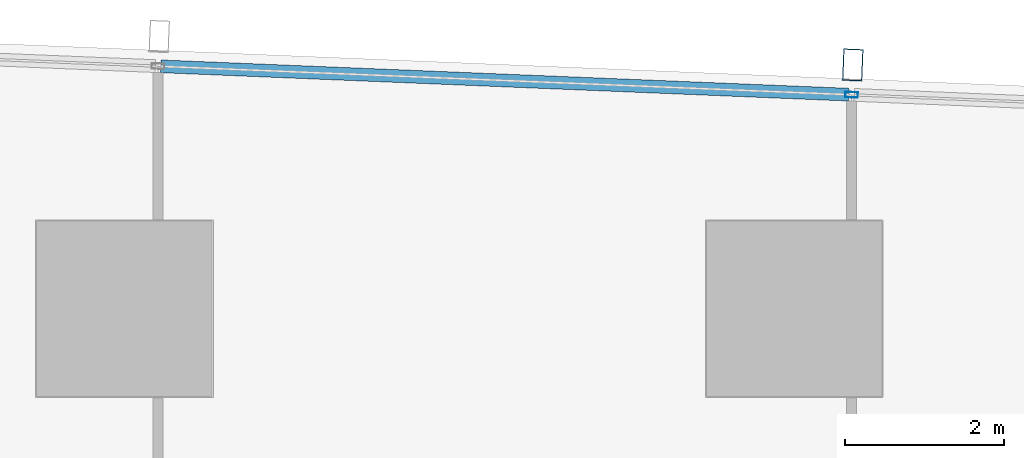
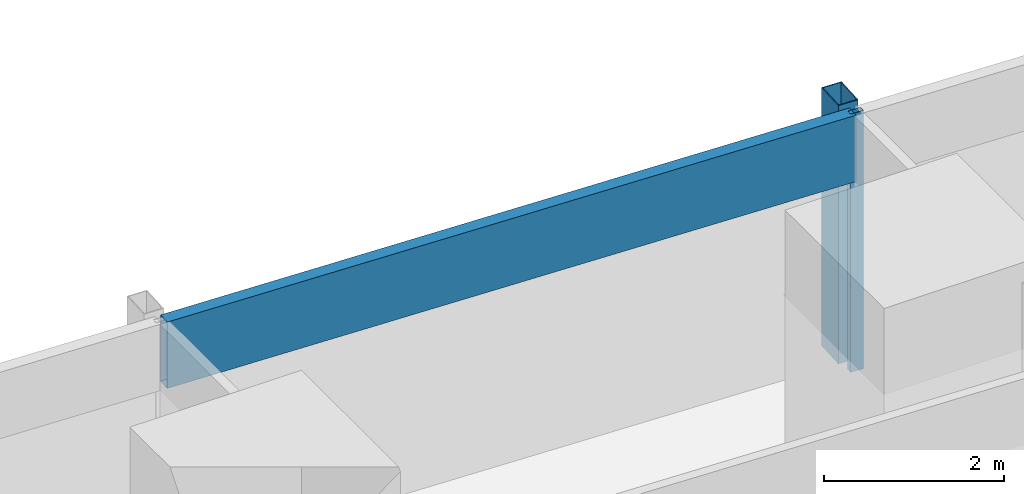
# One storey, part 21 of 42: 3 members, 1 element without a shape of its own.
"""IFC4 building model written with IfcOpenShell, lengths in metres."""

from ifc_helpers import new_model, si_unit, direction, frame, origin, origin_2d, place, context, subcontext, project, spatial, hollow_rectangle, extrude, material, material_profile, profile_set, type_object, element, aggregate, save


model = new_model("IFC4")

# Units and contexts
model_context = context("Model", 3, precision=1e-05, world=origin(), true_north=direction((0.0, 1.0)))
body_context = subcontext(model_context, "Body", "Model", "MODEL_VIEW")
ifc_project = project(units=[si_unit("LENGTHUNIT", "METRE"), si_unit("AREAUNIT", "SQUARE_METRE"), si_unit("VOLUMEUNIT", "CUBIC_METRE"), si_unit("PLANEANGLEUNIT", "RADIAN"), si_unit("MASSUNIT", "GRAM", prefix="KILO")], contexts=[model_context])

# Site, building, storey
site_placement = place(None, origin())
site = spatial("IfcSite", under=ifc_project, at=site_placement, CompositionType="ELEMENT")
building_placement = place(site_placement, origin())
building = spatial("IfcBuilding", under=site, at=building_placement, Name="Rekha Terrace Tower", CompositionType="ELEMENT")
storey_placement = place(building_placement, frame((0.0, 0.0, 70.39990234375)))
storey = spatial("IfcBuildingStorey", under=building, at=storey_placement, Name="L17", CompositionType="ELEMENT", Elevation=70.39990234375)

# Curtain wall, members
ifc_material_1 = material(Name="Aluminium framing", Category="aluminium")
curtain_wall_type = type_object("IfcCurtainWallType", Name="CW3 north unitised glazing", PredefinedType="USERDEFINED", material=ifc_material_1)
curtain_wall_placement = place(storey_placement, origin())
curtain_wall = element("IfcCurtainWall", 1, at=curtain_wall_placement, inside=storey, type_object=curtain_wall_type, Name="CW3 unitised curtain wall", ObjectType="UNITISED CURTAIN WALL", PredefinedType="USERDEFINED")
ifc_material_2 = material(Name="Steel S355 with fluorocarbon finish", Category="steel")
ifc_material_profile_1 = material_profile(ifc_material_2, hollow_rectangle(XDim=0.25, YDim=0.39990234375, WallThickness=0.012451171875, at=origin_2d()), Name="RHS400x250x12.5")
ifc_profile_set_1 = profile_set([ifc_material_profile_1], Name="Steel S355 with fluorocarbon finish")
member_type_1 = type_object("IfcMemberType", Name="BL1 facade blade RHS 400 x 250", PredefinedType="USERDEFINED", material=ifc_profile_set_1)
member_1_placement = place(storey_placement, frame((42.73388671875, 61.857421875, 0.0), z_axis=(0.0, 0.0, 1.0), x_axis=(-0.99915196507, 0.041174636562, 0.0)))
member_1 = element("IfcMember", 2, at=member_1_placement, type_object=member_type_1, Name="Facade blade", ObjectType="FACADE BLADE", PredefinedType="USERDEFINED", context=body_context, shape_type="SweptSolid", body=[
    extrude(hollow_rectangle(XDim=0.25, YDim=0.39990234375, WallThickness=0.012451171875, at=origin_2d()), origin(), (0.0, 0.0, 1.0), 3.5),
])
ifc_material_3 = material(Name="Aluminium mullion section", Category="aluminium")
ifc_material_profile_2 = material_profile(ifc_material_3, hollow_rectangle(XDim=0.070068359375, YDim=0.159912109375, WallThickness=0.00390625, at=origin_2d()), Name="AL RHS 70x160")
ifc_profile_set_2 = profile_set([ifc_material_profile_2], Name="Aluminium mullion section")
member_type_2 = type_object("IfcMemberType", Name="CW3 mullion RHS 70 x 160", PredefinedType="MULLION", material=ifc_profile_set_2)
member_2_placement = place(storey_placement, frame((42.718505859375, 61.48291015625, 0.0), z_axis=(0.0, 0.0, 1.0), x_axis=(-0.041173846041, -0.999151997647, 0.0)))
member_2 = element("IfcMember", 3, at=member_2_placement, type_object=member_type_2, Name="CW3 mullion 4", PredefinedType="MULLION", context=body_context, shape_type="SweptSolid", body=[
    extrude(hollow_rectangle(XDim=0.070068359375, YDim=0.159912109375, WallThickness=0.00390625, at=origin_2d()), origin(), (0.0, 0.0, 1.0), 3.5),
])
ifc_material_4 = material(Name="Insulated aluminium spandrel box", Category="aluminium")
ifc_material_profile_3 = material_profile(ifc_material_4, hollow_rectangle(XDim=0.159912109375, YDim=0.89990234375, WallThickness=0.0029296875, at=origin_2d()), Name="AL SPANDREL BOX 160x900")
ifc_profile_set_3 = profile_set([ifc_material_profile_3], Name="Insulated aluminium spandrel box")
member_type_3 = type_object("IfcMemberType", Name="CW3 spandrel transom 160 x 900", PredefinedType="USERDEFINED", material=ifc_profile_set_3)
member_3_placement = place(storey_placement, frame((42.68359375, 61.484375, 3.050048828125), z_axis=(-0.999152128669, 0.041170666459, 0.0), x_axis=(-0.041170666459, -0.999152128669, 0.0)))
member_3 = element("IfcMember", 4, at=member_3_placement, type_object=member_type_3, Name="CW3 spandrel transom 4", ObjectType="TRANSOM", PredefinedType="USERDEFINED", context=body_context, shape_type="SweptSolid", body=[
    extrude(hollow_rectangle(XDim=0.159912109375, YDim=0.89990234375, WallThickness=0.0029296875, at=origin_2d()), origin(), (0.0, 0.0, 1.0), 8.634033203125),
])
aggregate(curtain_wall, [member_2, member_3, member_1])

save(model, "model.ifc")
